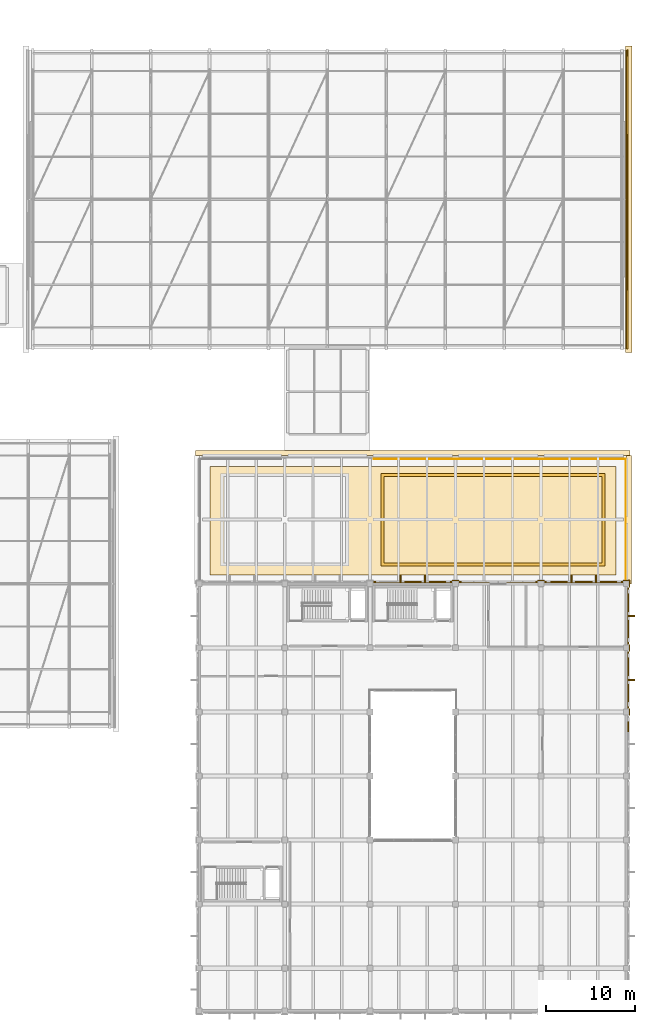
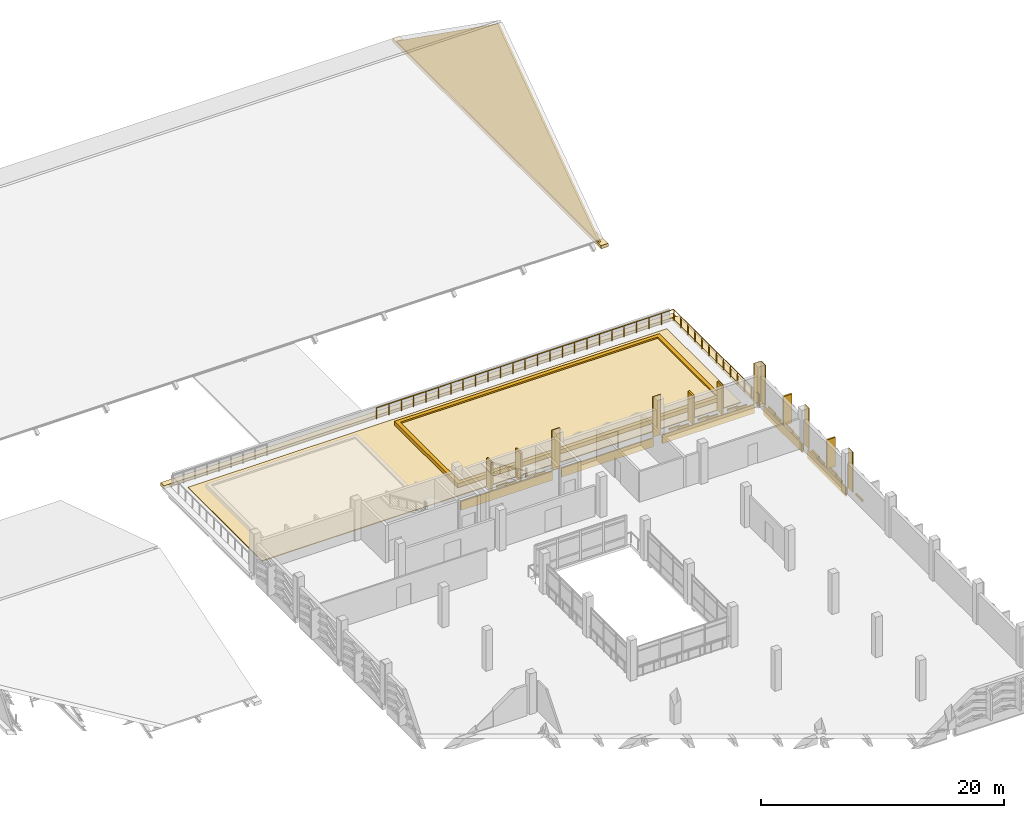
# One storey, part 134 of 134: 43 coverings, 1 railing.
"""IFC4 building model written with IfcOpenShell, lengths in metres."""

from ifc_helpers import new_model, si_unit, direction, frame, origin, origin_2d, place, context, subcontext, project, spatial, polyline, rectangle, circle, outline, extrude, material, layer, layer_set, type_object, element, save


model = new_model("IFC4")

# Units and contexts
model_context = context("Model", 3, precision=1e-05, world=origin(), true_north=direction((0.0, 1.0)))
body_context = subcontext(model_context, "Body", "Model", "MODEL_VIEW")
ifc_project = project(units=[si_unit("LENGTHUNIT", "METRE"), si_unit("AREAUNIT", "SQUARE_METRE"), si_unit("VOLUMEUNIT", "CUBIC_METRE"), si_unit("PLANEANGLEUNIT", "RADIAN"), si_unit("MASSUNIT", "GRAM", prefix="KILO")], contexts=[model_context])

# Site, building, storey
site_placement = place(None, origin())
site = spatial("IfcSite", under=ifc_project, at=site_placement, CompositionType="ELEMENT")
building_placement = place(site_placement, origin())
building = spatial("IfcBuilding", under=site, at=building_placement, Name="Asteropetra Specialist Clinic", CompositionType="ELEMENT")
storey_placement = place(building_placement, frame((0.0, 0.0, 8.5)))
storey = spatial("IfcBuildingStorey", under=building, at=storey_placement, Name="L02", CompositionType="ELEMENT", Elevation=8.5)

# Railing
ifc_material_1 = material(Name="Pentelic marble and bronze balustrade", Category="masonry")
railing_type = type_object("IfcRailingType", Name="BAL-STONE-1150", PredefinedType="BALUSTRADE", material=ifc_material_1)
railing_placement = place(storey_placement, frame((125.219970703125, 62.02001953125, 0.0)))
element("IfcRailing", 1, at=railing_placement, inside=storey, type_object=railing_type, Name="Perimeter Guard BAL-V6-L02N-E", PredefinedType="BALUSTRADE", context=body_context, shape_type="SweptSolid", body=[
    extrude(circle(Radius=0.02392578125, at=origin_2d()), frame((0.0, 0.0, 1.1259765625), z_axis=(1.0, 0.0, 0.0), x_axis=(0.0, 1.0, 0.0)), (0.0, 0.0, 1.0), 28.300048828125),
    extrude(circle(Radius=0.02392578125, at=origin_2d()), frame((28.300048828125, 0.0, 1.1259765625), z_axis=(0.0, -1.0, 0.0), x_axis=(1.0, 0.0, 0.0)), (0.0, 0.0, 1.0), 14.02001953125),
    extrude(circle(Radius=0.02099609375, at=origin_2d()), origin(), (0.0, 0.0, 1.0), 1.101806640625),
    extrude(circle(Radius=0.02099609375, at=origin_2d()), frame((1.17919921875, 0.0, 0.0)), (0.0, 0.0, 1.0), 1.101806640625),
    extrude(circle(Radius=0.02099609375, at=origin_2d()), frame((2.3583984375, 0.0, 0.0)), (0.0, 0.0, 1.0), 1.101806640625),
    extrude(circle(Radius=0.02099609375, at=origin_2d()), frame((3.53759765625, 0.0, 0.0)), (0.0, 0.0, 1.0), 1.101806640625),
    extrude(circle(Radius=0.02099609375, at=origin_2d()), frame((4.716796875, 0.0, 0.0)), (0.0, 0.0, 1.0), 1.101806640625),
    extrude(circle(Radius=0.02099609375, at=origin_2d()), frame((5.895751953125, 0.0, 0.0)), (0.0, 0.0, 1.0), 1.101806640625),
    extrude(circle(Radius=0.02099609375, at=origin_2d()), frame((7.074951171875, 0.0, 0.0)), (0.0, 0.0, 1.0), 1.101806640625),
    extrude(circle(Radius=0.02099609375, at=origin_2d()), frame((8.254150390625, 0.0, 0.0)), (0.0, 0.0, 1.0), 1.101806640625),
    extrude(circle(Radius=0.02099609375, at=origin_2d()), frame((9.433349609375, 0.0, 0.0)), (0.0, 0.0, 1.0), 1.101806640625),
    extrude(circle(Radius=0.02099609375, at=origin_2d()), frame((10.612548828125, 0.0, 0.0)), (0.0, 0.0, 1.0), 1.101806640625),
    extrude(circle(Radius=0.02099609375, at=origin_2d()), frame((11.791748046875, 0.0, 0.0)), (0.0, 0.0, 1.0), 1.101806640625),
    extrude(circle(Radius=0.02099609375, at=origin_2d()), frame((12.970947265625, 0.0, 0.0)), (0.0, 0.0, 1.0), 1.101806640625),
    extrude(circle(Radius=0.02099609375, at=origin_2d()), frame((14.14990234375, 0.0, 0.0)), (0.0, 0.0, 1.0), 1.101806640625),
    extrude(circle(Radius=0.02099609375, at=origin_2d()), frame((15.3291015625, 0.0, 0.0)), (0.0, 0.0, 1.0), 1.101806640625),
    extrude(circle(Radius=0.02099609375, at=origin_2d()), frame((16.50830078125, 0.0, 0.0)), (0.0, 0.0, 1.0), 1.101806640625),
    extrude(circle(Radius=0.02099609375, at=origin_2d()), frame((17.6875, 0.0, 0.0)), (0.0, 0.0, 1.0), 1.101806640625),
    extrude(circle(Radius=0.02099609375, at=origin_2d()), frame((18.86669921875, 0.0, 0.0)), (0.0, 0.0, 1.0), 1.101806640625),
    extrude(circle(Radius=0.02099609375, at=origin_2d()), frame((20.0458984375, 0.0, 0.0)), (0.0, 0.0, 1.0), 1.101806640625),
    extrude(circle(Radius=0.02099609375, at=origin_2d()), frame((21.22509765625, 0.0, 0.0)), (0.0, 0.0, 1.0), 1.101806640625),
    extrude(circle(Radius=0.02099609375, at=origin_2d()), frame((22.404296875, 0.0, 0.0)), (0.0, 0.0, 1.0), 1.101806640625),
    extrude(circle(Radius=0.02099609375, at=origin_2d()), frame((23.58349609375, 0.0, 0.0)), (0.0, 0.0, 1.0), 1.101806640625),
    extrude(circle(Radius=0.02099609375, at=origin_2d()), frame((24.762451171875, 0.0, 0.0)), (0.0, 0.0, 1.0), 1.101806640625),
    extrude(circle(Radius=0.02099609375, at=origin_2d()), frame((25.941650390625, 0.0, 0.0)), (0.0, 0.0, 1.0), 1.101806640625),
    extrude(circle(Radius=0.02099609375, at=origin_2d()), frame((27.120849609375, 0.0, 0.0)), (0.0, 0.0, 1.0), 1.101806640625),
    extrude(circle(Radius=0.02099609375, at=origin_2d()), frame((28.300048828125, 0.0, 0.0)), (0.0, 0.0, 1.0), 1.101806640625),
    extrude(circle(Radius=0.02099609375, at=origin_2d()), frame((28.300048828125, -1.16845703125, 0.0)), (0.0, 0.0, 1.0), 1.101806640625),
    extrude(circle(Radius=0.02099609375, at=origin_2d()), frame((28.300048828125, -2.336669921875, 0.0)), (0.0, 0.0, 1.0), 1.101806640625),
    extrude(circle(Radius=0.02099609375, at=origin_2d()), frame((28.300048828125, -3.5048828125, 0.0)), (0.0, 0.0, 1.0), 1.101806640625),
    extrude(circle(Radius=0.02099609375, at=origin_2d()), frame((28.300048828125, -4.67333984375, 0.0)), (0.0, 0.0, 1.0), 1.101806640625),
    extrude(circle(Radius=0.02099609375, at=origin_2d()), frame((28.300048828125, -5.841796875, 0.0)), (0.0, 0.0, 1.0), 1.101806640625),
    extrude(circle(Radius=0.02099609375, at=origin_2d()), frame((28.300048828125, -7.010009765625, 0.0)), (0.0, 0.0, 1.0), 1.101806640625),
    extrude(circle(Radius=0.02099609375, at=origin_2d()), frame((28.300048828125, -8.17822265625, 0.0)), (0.0, 0.0, 1.0), 1.101806640625),
    extrude(circle(Radius=0.02099609375, at=origin_2d()), frame((28.300048828125, -9.3466796875, 0.0)), (0.0, 0.0, 1.0), 1.101806640625),
    extrude(circle(Radius=0.02099609375, at=origin_2d()), frame((28.300048828125, -10.51513671875, 0.0)), (0.0, 0.0, 1.0), 1.101806640625),
    extrude(circle(Radius=0.02099609375, at=origin_2d()), frame((28.300048828125, -11.683349609375, 0.0)), (0.0, 0.0, 1.0), 1.101806640625),
    extrude(circle(Radius=0.02099609375, at=origin_2d()), frame((28.300048828125, -12.8515625, 0.0)), (0.0, 0.0, 1.0), 1.101806640625),
    extrude(circle(Radius=0.02099609375, at=origin_2d()), frame((28.300048828125, -14.02001953125, 0.0)), (0.0, 0.0, 1.0), 1.101806640625),
])

# Coverings
ifc_material_2 = material(Name="Chevron aegean mid")
ifc_layer_1 = layer(ifc_material_2, 0.1201171875)
ifc_layer_set_1 = layer_set([ifc_layer_1], Name="Chevron aegean mid")
covering_type_1 = type_object("IfcCoveringType", Name="CLD-AEG-MID", PredefinedType="CLADDING", material=ifc_layer_set_1)
covering_1_placement = place(storey_placement, frame((129.60009765625, 48.197509765625, -0.800048828125), z_axis=(0.0, 0.0, 1.0), x_axis=(1.0, 0.0, 0.0)))
element("IfcCovering", 2, at=covering_1_placement, inside=storey, type_object=covering_type_1, Name="Chevron Spandrel Band CV-2180", PredefinedType="CLADDING", context=body_context, shape_type="SweptSolid", body=[
    extrude(rectangle(XDim=8.75, YDim=0.1201171875, at=origin_2d()), origin(), (0.0, 0.0, 1.0), 0.8798828125),
])
for number, where, z_axis, x_axis, name in (
    (3, (132.779541015625, 48.21240234375, 0.1201171875), (0.0, 0.0, 1.0), (1.0, 0.0, 0.0), "Chevron Ceramic Band CV-2181"),
    (4, (131.96044921875, 48.21240234375, 0.26025390625), (0.0, 0.0, 1.0), (1.0, 0.0, 0.0), "Chevron Ceramic Band CV-2182"),
    (5, (130.009521484375, 48.21240234375, 0.1201171875), (0.0, 0.0, 1.0), (1.0, 0.0, 0.0), "Chevron Ceramic Band CV-2183"),
    (6, (129.1904296875, 48.21240234375, 0.26025390625), (0.0, 0.0, 1.0), (1.0, 0.0, 0.0), "Chevron Ceramic Band CV-2184"),
):
    element("IfcCovering", number, at=place(storey_placement, frame(where, z_axis=z_axis, x_axis=x_axis)), inside=storey, type_object=covering_type_1, Name=name, PredefinedType="CLADDING", context=body_context, shape_type="SweptSolid", body=[
        extrude(rectangle(XDim=1.052978515625, YDim=0.1201171875, at=origin_2d()), origin(), (0.0, 0.0, 1.0), 0.199951171875),
    ])
for number, where, z_axis, x_axis, name in (
    (7, (139.199951171875, 48.197509765625, -0.800048828125), (0.0, 0.0, 1.0), (1.0, 0.0, 0.0), "Chevron Spandrel Band CV-2194"),
    (8, (148.800048828125, 48.197509765625, -0.800048828125), (0.0, 0.0, 1.0), (1.0, 0.0, 0.0), "Chevron Spandrel Band CV-2202"),
):
    element("IfcCovering", number, at=place(storey_placement, frame(where, z_axis=z_axis, x_axis=x_axis)), inside=storey, type_object=covering_type_1, Name=name, PredefinedType="CLADDING", context=body_context, shape_type="SweptSolid", body=[
        extrude(rectangle(XDim=8.75, YDim=0.1201171875, at=origin_2d()), origin(), (0.0, 0.0, 1.0), 0.8798828125),
    ])
for number, where, z_axis, x_axis, name in (
    (9, (151.9794921875, 48.21240234375, 0.1201171875), (0.0, 0.0, 1.0), (1.0, 0.0, 0.0), "Chevron Ceramic Band CV-2203"),
    (10, (151.160400390625, 48.21240234375, 0.26025390625), (0.0, 0.0, 1.0), (1.0, 0.0, 0.0), "Chevron Ceramic Band CV-2204"),
    (11, (149.20947265625, 48.21240234375, 0.1201171875), (0.0, 0.0, 1.0), (1.0, 0.0, 0.0), "Chevron Ceramic Band CV-2205"),
    (12, (148.390380859375, 48.21240234375, 0.26025390625), (0.0, 0.0, 1.0), (1.0, 0.0, 0.0), "Chevron Ceramic Band CV-2206"),
    (13, (146.439453125, 48.21240234375, 0.1201171875), (0.0, 0.0, 1.0), (1.0, 0.0, 0.0), "Chevron Ceramic Band CV-2207"),
    (14, (145.62060546875, 48.21240234375, 0.26025390625), (0.0, 0.0, 1.0), (1.0, 0.0, 0.0), "Chevron Ceramic Band CV-2208"),
):
    element("IfcCovering", number, at=place(storey_placement, frame(where, z_axis=z_axis, x_axis=x_axis)), inside=storey, type_object=covering_type_1, Name=name, PredefinedType="CLADDING", context=body_context, shape_type="SweptSolid", body=[
        extrude(rectangle(XDim=1.052978515625, YDim=0.1201171875, at=origin_2d()), origin(), (0.0, 0.0, 1.0), 0.199951171875),
    ])
covering_2_placement = place(storey_placement, frame((153.8125, 31.914794921875, 0.26025390625), z_axis=(0.0, 0.0, 1.0), x_axis=(1.0, 0.0, 0.0)))
element("IfcCovering", 15, at=covering_2_placement, inside=storey, type_object=covering_type_1, Name="Chevron Ceramic Band CV-2254", PredefinedType="CLADDING", context=body_context, shape_type="SweptSolid", body=[
    extrude(rectangle(XDim=0.1201171875, YDim=1.123046875, at=origin_2d()), origin(), (0.0, 0.0, 1.0), 0.199951171875),
])
covering_3_placement = place(storey_placement, frame((153.797607421875, 37.199951171875, -0.800048828125), z_axis=(0.0, 0.0, 1.0), x_axis=(1.0, 0.0, 0.0)))
element("IfcCovering", 16, at=covering_3_placement, inside=storey, type_object=covering_type_1, Name="Chevron Spandrel Band CV-2260", PredefinedType="CLADDING", context=body_context, shape_type="SweptSolid", body=[
    extrude(rectangle(XDim=0.1201171875, YDim=6.35009765625, at=origin_2d()), origin(), (0.0, 0.0, 1.0), 0.8798828125),
])
for number, where, z_axis, x_axis, name in (
    (17, (153.8125, 35.285400390625, 0.1201171875), (0.0, 0.0, 1.0), (1.0, 0.0, 0.0), "Chevron Ceramic Band CV-2261"),
    (18, (153.8125, 36.159912109375, 0.26025390625), (0.0, 0.0, 1.0), (1.0, 0.0, 0.0), "Chevron Ceramic Band CV-2262"),
    (19, (153.8125, 38.240234375, 0.1201171875), (0.0, 0.0, 1.0), (1.0, 0.0, 0.0), "Chevron Ceramic Band CV-2263"),
    (20, (153.8125, 39.11474609375, 0.26025390625), (0.0, 0.0, 1.0), (1.0, 0.0, 0.0), "Chevron Ceramic Band CV-2264"),
):
    element("IfcCovering", number, at=place(storey_placement, frame(where, z_axis=z_axis, x_axis=x_axis)), inside=storey, type_object=covering_type_1, Name=name, PredefinedType="CLADDING", context=body_context, shape_type="SweptSolid", body=[
        extrude(rectangle(XDim=0.1201171875, YDim=1.123046875, at=origin_2d()), origin(), (0.0, 0.0, 1.0), 0.199951171875),
    ])
covering_4_placement = place(storey_placement, frame((153.797607421875, 44.39990234375, -0.800048828125), z_axis=(0.0, 0.0, 1.0), x_axis=(1.0, 0.0, 0.0)))
element("IfcCovering", 21, at=covering_4_placement, inside=storey, type_object=covering_type_1, Name="Chevron Spandrel Band CV-2270", PredefinedType="CLADDING", context=body_context, shape_type="SweptSolid", body=[
    extrude(rectangle(XDim=0.1201171875, YDim=6.35009765625, at=origin_2d()), origin(), (0.0, 0.0, 1.0), 0.8798828125),
])
for number, where, z_axis, x_axis, name in (
    (22, (153.8125, 42.4853515625, 0.1201171875), (0.0, 0.0, 1.0), (1.0, 0.0, 0.0), "Chevron Ceramic Band CV-2271"),
    (23, (153.8125, 43.359619140625, 0.26025390625), (0.0, 0.0, 1.0), (1.0, 0.0, 0.0), "Chevron Ceramic Band CV-2272"),
    (24, (153.8125, 45.440185546875, 0.1201171875), (0.0, 0.0, 1.0), (1.0, 0.0, 0.0), "Chevron Ceramic Band CV-2273"),
    (25, (153.8125, 46.314697265625, 0.26025390625), (0.0, 0.0, 1.0), (1.0, 0.0, 0.0), "Chevron Ceramic Band CV-2274"),
):
    element("IfcCovering", number, at=place(storey_placement, frame(where, z_axis=z_axis, x_axis=x_axis)), inside=storey, type_object=covering_type_1, Name=name, PredefinedType="CLADDING", context=body_context, shape_type="SweptSolid", body=[
        extrude(rectangle(XDim=0.1201171875, YDim=1.123046875, at=origin_2d()), origin(), (0.0, 0.0, 1.0), 0.199951171875),
    ])
ifc_material_3 = material(Name="Pentelic marble ashlar", Category="masonry")
ifc_layer_2 = layer(ifc_material_3, 0.159912109375)
ifc_layer_set_2 = layer_set([ifc_layer_2], Name="Pentelic marble ashlar")
covering_type_2 = type_object("IfcCoveringType", Name="CRN-ENTAB-600", PredefinedType="MOLDING", material=ifc_layer_set_2)
for number, where, z_axis, x_axis, name in (
    (26, (134.39990234375, 48.35693359375, 0.02001953125), (0.0, 0.0, 1.0), (1.0, 0.0, 0.0), "Neoclassical Pilaster Facing CM-1124"),
    (27, (144.0, 48.35693359375, 0.02001953125), (0.0, 0.0, 1.0), (1.0, 0.0, 0.0), "Neoclassical Pilaster Facing CM-1126"),
):
    element("IfcCovering", number, at=place(storey_placement, frame(where, z_axis=z_axis, x_axis=x_axis)), inside=storey, type_object=covering_type_2, Name=name, PredefinedType="MOLDING", context=body_context, shape_type="SweptSolid", body=[
        extrude(rectangle(XDim=0.72998046875, YDim=0.080078125, at=origin_2d()), origin(), (0.0, 0.0, 1.0), 4.0400390625),
    ])
for number, where, z_axis, x_axis, name in (
    (28, (153.95703125, 33.60009765625, 0.02001953125), (0.0, 0.0, 1.0), (1.0, 0.0, 0.0), "Neoclassical Pilaster Facing CM-1133"),
    (29, (153.95703125, 40.800048828125, 0.02001953125), (0.0, 0.0, 1.0), (1.0, 0.0, 0.0), "Neoclassical Pilaster Facing CM-1134"),
):
    element("IfcCovering", number, at=place(storey_placement, frame(where, z_axis=z_axis, x_axis=x_axis)), inside=storey, type_object=covering_type_2, Name=name, PredefinedType="MOLDING", context=body_context, shape_type="SweptSolid", body=[
        extrude(rectangle(XDim=0.080078125, YDim=0.72998046875, at=origin_2d()), origin(), (0.0, 0.0, 1.0), 4.0400390625),
    ])
covering_5_placement = place(storey_placement, frame((153.60009765625, 48.35693359375, 0.02001953125), z_axis=(0.0, 0.0, 1.0), x_axis=(1.0, 0.0, 0.0)))
element("IfcCovering", 30, at=covering_5_placement, inside=storey, type_object=covering_type_2, Name="Neoclassical Pilaster Facing CM-1135", PredefinedType="MOLDING", context=body_context, shape_type="SweptSolid", body=[
    extrude(rectangle(XDim=0.72998046875, YDim=0.080078125, at=origin_2d()), origin(), (0.0, 0.0, 1.0), 4.0400390625),
])
covering_6_placement = place(storey_placement, frame((153.95703125, 48.0, 0.02001953125), z_axis=(0.0, 0.0, 1.0), x_axis=(1.0, 0.0, 0.0)))
element("IfcCovering", 31, at=covering_6_placement, inside=storey, type_object=covering_type_2, Name="Neoclassical Pilaster Facing CM-1136", PredefinedType="MOLDING", context=body_context, shape_type="SweptSolid", body=[
    extrude(rectangle(XDim=0.080078125, YDim=0.72998046875, at=origin_2d()), origin(), (0.0, 0.0, 1.0), 4.0400390625),
])
covering_7_placement = place(storey_placement, frame((153.760009765625, 74.39990234375, 0.199951171875), z_axis=(0.999998596719, 0.0, 0.001675279076), x_axis=(0.0, 1.0, 0.0)))
element("IfcCovering", 32, at=covering_7_placement, inside=storey, type_object=covering_type_2, Name="Classical Pediment Tympanum Face TF-005", PredefinedType="MOLDING", context=body_context, shape_type="SweptSolid", body=[
    extrude(outline(polyline([(0.0, 0.0), (33.60009765625, 0.0), (16.800048828125, 11.9499679410377), (0.0, 0.0)])), origin(), (0.0, 0.0, -1.0), 0.159912109375),
])
covering_8_placement = place(storey_placement, frame((153.860107421875, 91.199951171875, -0.06982421875), z_axis=(0.0, 0.0, 1.0), x_axis=(1.0, 0.0, 0.0)))
element("IfcCovering", 33, at=covering_8_placement, inside=storey, type_object=covering_type_2, Name="Pediment Geison Cornice CR-006", PredefinedType="MOLDING", context=body_context, shape_type="SweptSolid", body=[
    extrude(rectangle(XDim=0.679931640625, YDim=34.39990234375, at=origin_2d()), origin(), (0.0, 0.0, 1.0), 0.340087890625),
])
covering_9_placement = place(storey_placement, frame((129.60009765625, 62.679931640625, -0.2802734375), z_axis=(0.0, 0.0, 1.0), x_axis=(1.0, 0.0, 0.0)))
element("IfcCovering", 34, at=covering_9_placement, inside=storey, type_object=covering_type_2, Name="Classical Entablature Cornice EC-031", PredefinedType="MOLDING", context=body_context, shape_type="SweptSolid", body=[
    extrude(rectangle(XDim=48.800048828125, YDim=0.56005859375, at=origin_2d()), origin(), (0.0, 0.0, 1.0), 0.320068359375),
])
covering_10_placement = place(storey_placement, frame((153.8798828125, 55.199951171875, -0.2802734375), z_axis=(0.0, 0.0, 1.0), x_axis=(1.0, 0.0, 0.0)))
element("IfcCovering", 35, at=covering_10_placement, inside=storey, type_object=covering_type_2, Name="Classical Entablature Cornice EC-033", PredefinedType="MOLDING", context=body_context, shape_type="SweptSolid", body=[
    extrude(rectangle(XDim=0.56005859375, YDim=14.39990234375, at=origin_2d()), origin(), (0.0, 0.0, 1.0), 0.320068359375),
])
covering_11_placement = place(storey_placement, origin())
element("IfcCovering", 36, at=covering_11_placement, inside=storey, type_object=covering_type_2, Name="Planted Terrace Planter Curb PTB-V6-02C", PredefinedType="MOLDING", context=body_context, shape_type="SweptSolid", body=[
    extrude(outline(polyline([(126.0, 50.0), (151.199951171875, 50.0), (151.199951171875, 60.39990234375), (126.0, 60.39990234375), (126.0, 50.0)]), holes=[polyline([(126.35009765625, 50.35009765625), (150.85009765625, 50.35009765625), (150.85009765625, 60.050048828125), (126.35009765625, 60.050048828125), (126.35009765625, 50.35009765625)])]), origin(), (0.0, 0.0, 1.0), 0.47998046875),
])
ifc_material_4 = material(Name="Pentelic marble solar fin", Category="masonry")
ifc_layer_3 = layer(ifc_material_4, 0.080078125)
ifc_layer_set_3 = layer_set([ifc_layer_3], Name="Pentelic marble solar fin")
covering_type_3 = type_object("IfcCoveringType", Name="FIN-SOLAR-800", PredefinedType="MOLDING", material=ifc_layer_set_3)
for number, where, z_axis, x_axis, name in (
    (37, (130.985107421875, 48.552490234375, 0.070068359375), (0.0, 0.0, 1.0), (1.0, 0.0, 0.0), "Solar Shading Fin FN-0194"),
    (38, (128.215087890625, 48.552490234375, 0.070068359375), (0.0, 0.0, 1.0), (1.0, 0.0, 0.0), "Solar Shading Fin FN-0195"),
    (39, (150.18505859375, 48.552490234375, 0.070068359375), (0.0, 0.0, 1.0), (1.0, 0.0, 0.0), "Solar Shading Fin FN-0200"),
    (40, (147.4150390625, 48.552490234375, 0.070068359375), (0.0, 0.0, 1.0), (1.0, 0.0, 0.0), "Solar Shading Fin FN-0201"),
):
    element("IfcCovering", number, at=place(storey_placement, frame(where, z_axis=z_axis, x_axis=x_axis)), inside=storey, type_object=covering_type_3, Name=name, PredefinedType="MOLDING", context=body_context, shape_type="SweptSolid", body=[
        extrude(rectangle(XDim=0.159912109375, YDim=0.800048828125, at=origin_2d()), origin(), (0.0, 0.0, 1.0), 2.919921875),
    ])
for number, where, z_axis, x_axis, name in (
    (41, (154.152587890625, 37.199951171875, 0.070068359375), (0.0, 0.0, 1.0), (1.0, 0.0, 0.0), "Solar Shading Fin FN-0213"),
    (42, (154.152587890625, 44.39990234375, 0.070068359375), (0.0, 0.0, 1.0), (1.0, 0.0, 0.0), "Solar Shading Fin FN-0215"),
):
    element("IfcCovering", number, at=place(storey_placement, frame(where, z_axis=z_axis, x_axis=x_axis)), inside=storey, type_object=covering_type_3, Name=name, PredefinedType="MOLDING", context=body_context, shape_type="SweptSolid", body=[
        extrude(rectangle(XDim=0.800048828125, YDim=0.159912109375, at=origin_2d()), origin(), (0.0, 0.0, 1.0), 2.919921875),
    ])
ifc_material_5 = material(Name="Planted roof growing medium")
ifc_layer_4 = layer(ifc_material_5, 0.080078125)
ifc_layer_set_4 = layer_set([ifc_layer_4], Name="Planted roof growing medium")
covering_type_4 = type_object("IfcCoveringType", Name="RFG-GREEN-V2", PredefinedType="ROOFING", material=ifc_layer_set_4)
covering_12_placement = place(storey_placement, origin())
element("IfcCovering", 43, at=covering_12_placement, inside=storey, type_object=covering_type_4, Name="Roof Covering RFG-V6-GARDEN", PredefinedType="ROOFING", context=body_context, shape_type="SweptSolid", body=[
    extrude(outline(polyline([(106.800048828125, 49.0), (152.39990234375, 49.0), (152.39990234375, 61.199951171875), (106.800048828125, 61.199951171875), (106.800048828125, 49.0)])), origin(), (0.0, 0.0, 1.0), 0.080078125),
])
covering_13_placement = place(storey_placement, origin())
element("IfcCovering", 44, at=covering_13_placement, inside=storey, type_object=covering_type_4, Name="Planted Terrace Greenery Bed PTB-V6-02G", PredefinedType="ROOFING", context=body_context, shape_type="SweptSolid", body=[
    extrude(outline(polyline([(126.360107421875, 50.360107421875), (150.840087890625, 50.360107421875), (150.840087890625, 60.0400390625), (126.360107421875, 60.0400390625), (126.360107421875, 50.360107421875)])), origin(), (0.0, 0.0, 1.0), 0.340087890625),
])

save(model, "model.ifc")
